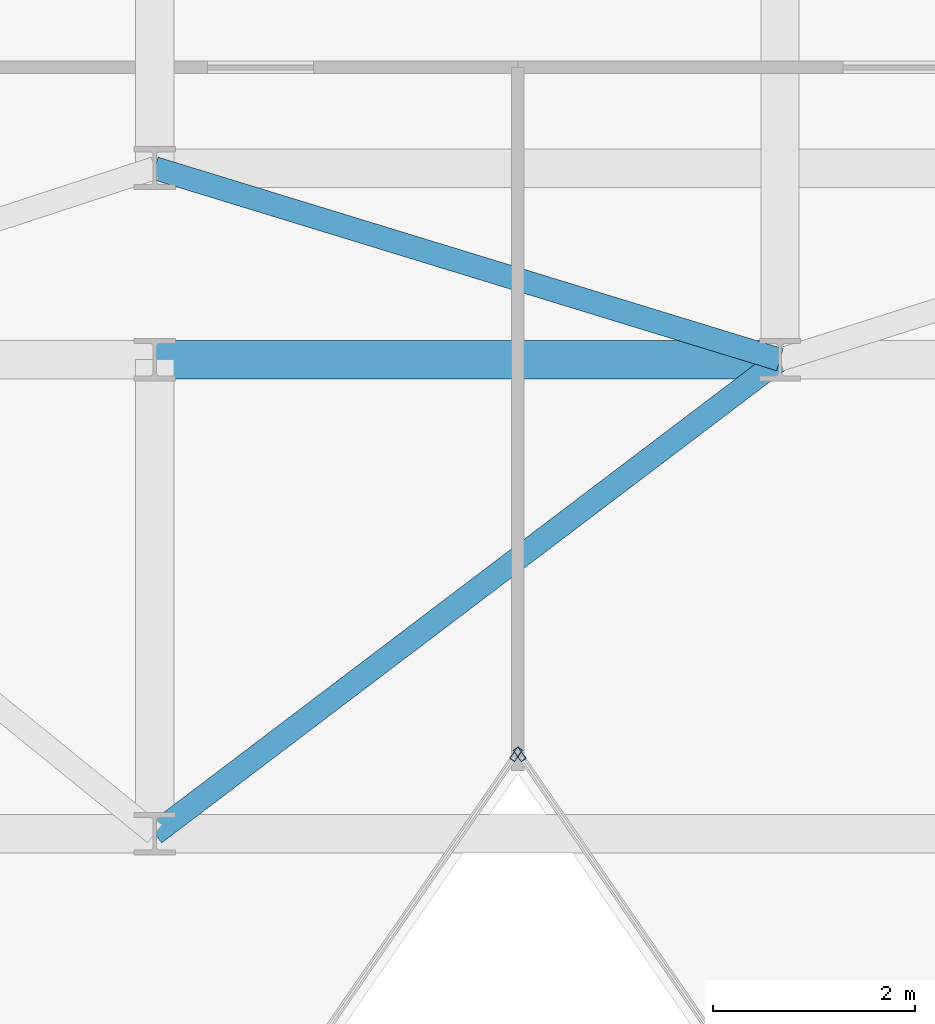
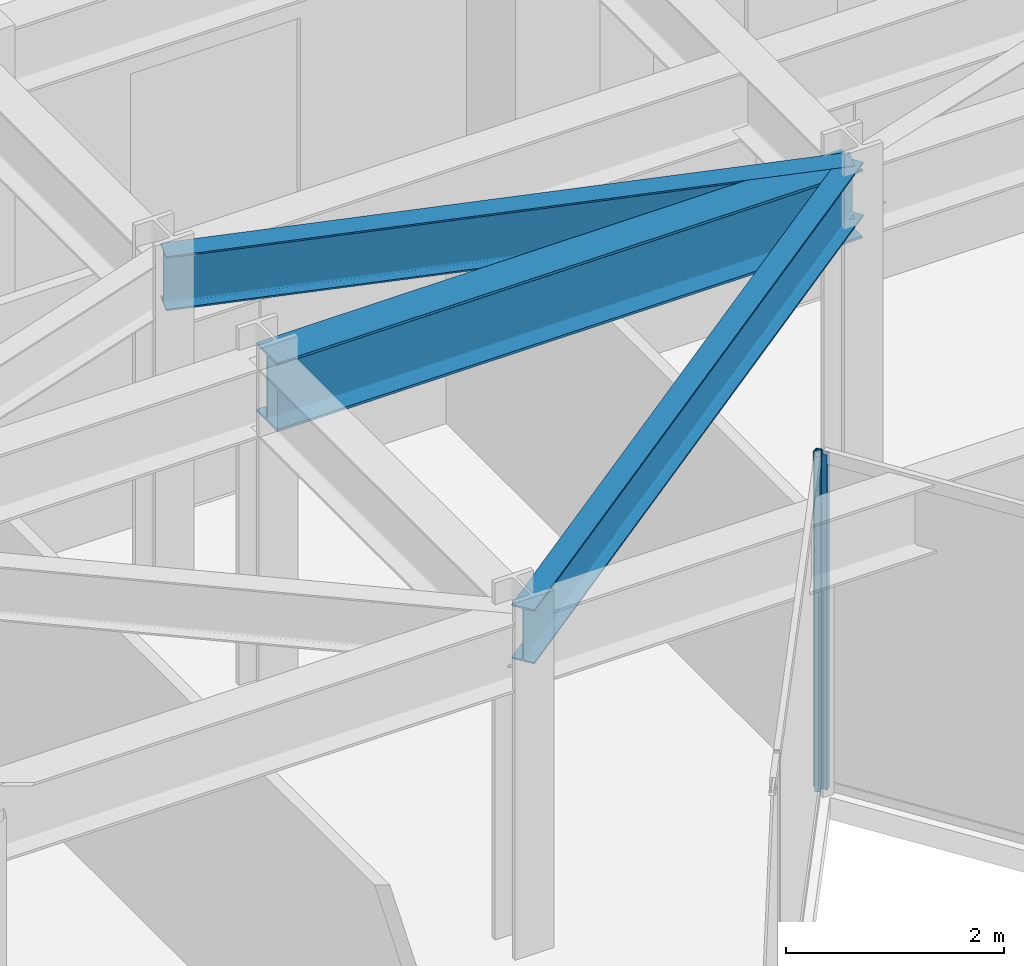
# One storey, part 8 of 21: 3 beams, 2 members, 2 elements without a shape of their own.
"""IFC4 building model written with IfcOpenShell, lengths in metres."""

from ifc_helpers import new_model, si_unit, direction, frame, origin, origin_2d, place, context, subcontext, project, spatial, hollow_rectangle, i_section, extrude, material, layer, layer_set, material_profile, profile_set, type_object, element, aggregate, save


model = new_model("IFC4")

# Units and contexts
model_context = context("Model", 3, precision=1e-05, world=origin(), true_north=direction((0.0, 1.0)))
body_context = subcontext(model_context, "Body", "Model", "MODEL_VIEW")
ifc_project = project(units=[si_unit("LENGTHUNIT", "METRE"), si_unit("AREAUNIT", "SQUARE_METRE"), si_unit("VOLUMEUNIT", "CUBIC_METRE"), si_unit("PLANEANGLEUNIT", "RADIAN"), si_unit("MASSUNIT", "GRAM", prefix="KILO")], contexts=[model_context])

# Site, building, storey
site_placement = place(None, origin())
site = spatial("IfcSite", under=ifc_project, at=site_placement, CompositionType="ELEMENT")
building_placement = place(site_placement, origin())
building = spatial("IfcBuilding", under=site, at=building_placement, Name="Kravanh Interchange Tower", CompositionType="ELEMENT")
storey_placement = place(building_placement, frame((0.0, 0.0, 184.5)))
storey = spatial("IfcBuildingStorey", under=building, at=storey_placement, Name="L44", CompositionType="ELEMENT", Elevation=184.5)

# Curtain wall, member
ifc_material_1 = material(Name="Anodised Bronze Aluminium", Category="aluminium")
ifc_layer = layer(ifc_material_1, 0.179931640625)
ifc_layer_set = layer_set([ifc_layer], Name="Unitised Curtain Wall System CW-Z3 Upper Office")
curtain_wall_type = type_object("IfcCurtainWallType", Name="Unitised Curtain Wall System CW-Z3 Upper Office", PredefinedType="NOTDEFINED", material=ifc_layer_set)
curtain_wall_1_placement = place(storey_placement, origin())
curtain_wall_1 = element("IfcCurtainWall", 1, at=curtain_wall_1_placement, inside=storey, type_object=curtain_wall_type, Name="L44 Unitised Curtain Wall CW-L44-03", PredefinedType="NOTDEFINED")
ifc_material_2 = material(Name="Anodised Bronze Aluminium", Category="aluminium")
ifc_material_profile_1 = material_profile(ifc_material_2, hollow_rectangle(XDim=0.06005859375, YDim=0.139892578125, WallThickness=0.00390625, at=origin_2d()), Name="ALU60X140X4")
ifc_profile_set_1 = profile_set([ifc_material_profile_1], Name="Anodised Bronze Aluminium")
member_type = type_object("IfcMemberType", Name="Curtain Wall Mullion ALU60X140X4 Bronze", PredefinedType="MULLION", material=ifc_profile_set_1)
member_1_placement = place(storey_placement, frame((42.217041015625, 27.587158203125, 0.0), z_axis=(0.0, 0.0, 1.0), x_axis=(-0.824042223035, -0.566528388217, 0.0)))
member_1 = element("IfcMember", 2, at=member_1_placement, type_object=member_type, Name="CW-Z3 mullion 5", PredefinedType="MULLION", context=body_context, shape_type="SweptSolid", body=[
    extrude(hollow_rectangle(XDim=0.06005859375, YDim=0.139892578125, WallThickness=0.00390625, at=origin_2d()), origin(), (0.0, 0.0, 1.0), 3.7548828125),
])
aggregate(curtain_wall_1, [member_1])

curtain_wall_2_placement = place(storey_placement, origin())
curtain_wall_2 = element("IfcCurtainWall", 3, at=curtain_wall_2_placement, inside=storey, type_object=curtain_wall_type, Name="L44 Unitised Curtain Wall CW-L44-04", PredefinedType="NOTDEFINED")
member_2_placement = place(storey_placement, frame((42.18310546875, 27.587158203125, 0.0), z_axis=(0.0, 0.0, 1.0), x_axis=(0.824042223035, -0.566528388217, 0.0)))
member_2 = element("IfcMember", 4, at=member_2_placement, type_object=member_type, Name="CW-Z3 mullion 1", PredefinedType="MULLION", context=body_context, shape_type="SweptSolid", body=[
    extrude(hollow_rectangle(XDim=0.06005859375, YDim=0.139892578125, WallThickness=0.00390625, at=origin_2d()), origin(), (0.0, 0.0, 1.0), 3.7548828125),
])
aggregate(curtain_wall_2, [member_2])

# Beams
ifc_material_3 = material(Name="Structural Steel S355", Category="steel")
ifc_material_profile_2 = material_profile(ifc_material_3, i_section(OverallWidth=0.381103515625, OverallDepth=0.77294921875, WebThickness=0.0166015625, FlangeThickness=0.027099609375, FilletRadius=0.02490234375, at=origin_2d()), Name="W30X173")
ifc_profile_set_2 = profile_set([ifc_material_profile_2], Name="Structural Steel S355")
beam_type_1 = type_object("IfcBeamType", Name="Floor Beam W30X173 Structural Steel S355", PredefinedType="BEAM", material=ifc_profile_set_2)
beam_1_placement = place(storey_placement, frame((38.60009765625, 31.5, 3.368408203125), z_axis=(1.0, 0.0, 0.0), x_axis=(0.0, 1.0, 0.0)))
element("IfcBeam", 5, at=beam_1_placement, inside=storey, type_object=beam_type_1, Name="L44 Primary Floor Girder 72", PredefinedType="BEAM", context=body_context, shape_type="SweptSolid", body=[
    extrude(i_section(OverallWidth=0.381103515625, OverallDepth=0.77294921875, WebThickness=0.0166015625, FlangeThickness=0.027099609375, FilletRadius=0.02490234375, at=origin_2d()), origin(), (0.0, 0.0, 1.0), 6.199951171875),
])
ifc_material_4 = material(Name="Structural Steel S355", Category="steel")
ifc_material_profile_3 = material_profile(ifc_material_4, i_section(OverallWidth=0.22802734375, OverallDepth=0.60791015625, WebThickness=0.01123046875, FlangeThickness=0.017333984375, FilletRadius=0.02197265625, at=origin_2d()), Name="W24X76")
ifc_profile_set_3 = profile_set([ifc_material_profile_3], Name="Structural Steel S355")
beam_type_2 = type_object("IfcBeamType", Name="Floor Spandrel W24X76 Structural Steel S355", PredefinedType="SPANDREL", material=ifc_profile_set_3)
beam_2_placement = place(storey_placement, frame((38.60009765625, 26.800048828125, 3.450927734375), z_axis=(0.796905365509, 0.604104161898, 0.0), x_axis=(-0.604104161898, 0.796905365509, 0.0)))
element("IfcBeam", 6, at=beam_2_placement, inside=storey, type_object=beam_type_2, Name="L44 Perimeter Spandrel 47", PredefinedType="SPANDREL", context=body_context, shape_type="SweptSolid", body=[
    extrude(i_section(OverallWidth=0.22802734375, OverallDepth=0.60791015625, WebThickness=0.01123046875, FlangeThickness=0.017333984375, FilletRadius=0.02197265625, at=origin_2d()), origin(), (0.0, 0.0, 1.0), 7.780029296875),
])
beam_3_placement = place(storey_placement, frame((44.800048828125, 31.5, 3.450927734375), z_axis=(-0.956115397264, 0.292990353279, 0.0), x_axis=(-0.292990353279, -0.956115397264, 0.0)))
element("IfcBeam", 7, at=beam_3_placement, inside=storey, type_object=beam_type_2, Name="L44 Perimeter Spandrel 76", PredefinedType="SPANDREL", context=body_context, shape_type="SweptSolid", body=[
    extrude(i_section(OverallWidth=0.22802734375, OverallDepth=0.60791015625, WebThickness=0.01123046875, FlangeThickness=0.017333984375, FilletRadius=0.02197265625, at=origin_2d()), origin(), (0.0, 0.0, 1.0), 6.484619140625),
])

save(model, "model.ifc")
